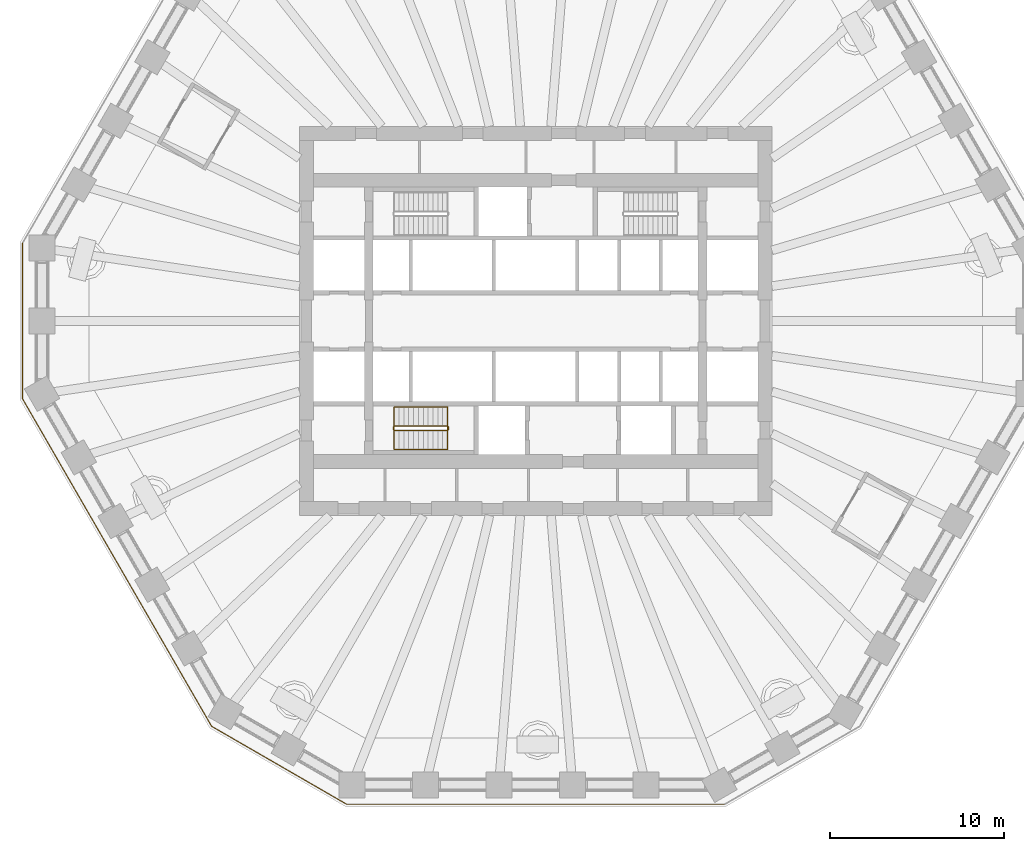
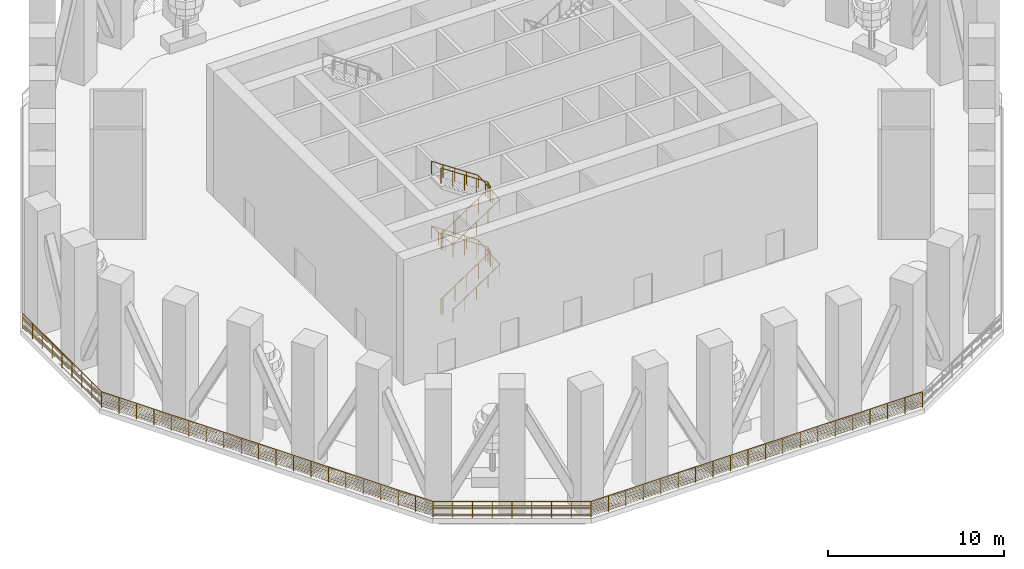
# One storey, part 6 of 10: 6 railings.
"""IFC4 building model written with IfcOpenShell, lengths in metres."""

from ifc_helpers import new_model, si_unit, direction, frame, origin, origin_2d, place, context, subcontext, project, spatial, circle, extrude, material, type_object, element, save


model = new_model("IFC4")

# Units and contexts
model_context = context("Model", 3, precision=1e-05, world=origin(), true_north=direction((0.0, 1.0)))
body_context = subcontext(model_context, "Body", "Model", "MODEL_VIEW")
ifc_project = project(units=[si_unit("LENGTHUNIT", "METRE"), si_unit("AREAUNIT", "SQUARE_METRE"), si_unit("VOLUMEUNIT", "CUBIC_METRE"), si_unit("PLANEANGLEUNIT", "RADIAN"), si_unit("MASSUNIT", "GRAM", prefix="KILO")], contexts=[model_context])

# Site, building, storey
site_placement = place(None, origin())
site = spatial("IfcSite", under=ifc_project, at=site_placement, CompositionType="ELEMENT")
building_placement = place(site_placement, origin())
building = spatial("IfcBuilding", under=site, at=building_placement, Name="Frailejon Research Tower", CompositionType="ELEMENT")
storey_placement = place(building_placement, frame((0.0, 0.0, 71.800048828125)))
storey = spatial("IfcBuildingStorey", under=building, at=storey_placement, Name="L16", CompositionType="ELEMENT", Elevation=71.800048828125)

# Railings
ifc_material_1 = material(Name="Stainless steel", Category="steel")
railing_type_1 = type_object("IfcRailingType", Name="Stair guard 1100", PredefinedType="GUARDRAIL", material=ifc_material_1)
railing_1_placement = place(storey_placement, frame((-8.199951171875, -6.10009765625, 0.0)))
element("IfcRailing", 1, at=railing_1_placement, inside=storey, type_object=railing_type_1, Name="L16 ST2 stair guard 1", PredefinedType="GUARDRAIL", context=body_context, shape_type="SweptSolid", body=[
    extrude(circle(Radius=0.02392578125, at=origin_2d()), frame((0.0, 0.0, 1.076171875), z_axis=(0.0, -1.0, 0.0), x_axis=(1.0, 0.0, 0.0)), (0.0, 0.0, 1.0), 0.14990234375),
    extrude(circle(Radius=0.02392578125, at=origin_2d()), frame((0.0, -0.14990234375, 1.076171875), z_axis=(0.249726431254, -0.249726431254, 0.935560483917), x_axis=(0.707106781187, 0.707106781187, 0.0)), (0.0, 0.0, 1.0), 0.200439453125),
    extrude(circle(Radius=0.02392578125, at=origin_2d()), frame((0.050048828125, -0.199951171875, 1.263671875), z_axis=(0.830893310487, 0.0, 0.556431762742), x_axis=(0.0, 1.0, 0.0)), (0.0, 0.0, 1.0), 3.70654296875),
    extrude(circle(Radius=0.02392578125, at=origin_2d()), frame((3.1298828125, -0.199951171875, 3.326171875), z_axis=(0.707106781187, 0.707106781187, 0.0), x_axis=(-0.707106781187, 0.707106781187, 0.0)), (0.0, 0.0, 1.0), 0.07080078125),
    extrude(circle(Radius=0.02392578125, at=origin_2d()), frame((3.179931640625, -0.14990234375, 3.326171875), z_axis=(0.0, 1.0, 0.0), x_axis=(-1.0, 0.0, 0.0)), (0.0, 0.0, 1.0), 0.14990234375),
    extrude(circle(Radius=0.02392578125, at=origin_2d()), frame((3.179931640625, 0.0, 3.326171875), z_axis=(-0.249726431254, 0.249726431254, 0.935560483917), x_axis=(-0.707106781187, -0.707106781187, 0.0)), (0.0, 0.0, 1.0), 0.200439453125),
    extrude(circle(Radius=0.02392578125, at=origin_2d()), frame((3.1298828125, 0.050048828125, 3.513671875), z_axis=(-0.830893310487, 0.0, 0.556431762742), x_axis=(0.0, -1.0, 0.0)), (0.0, 0.0, 1.0), 3.70654296875),
    extrude(circle(Radius=0.02392578125, at=origin_2d()), frame((0.050048828125, 0.050048828125, 5.576171875), z_axis=(-0.707106781187, -0.707106781187, 0.0), x_axis=(0.707106781187, -0.707106781187, 0.0)), (0.0, 0.0, 1.0), 0.07080078125),
    extrude(circle(Radius=0.02392578125, at=origin_2d()), frame((0.0, 0.0, 5.576171875), z_axis=(0.0, -1.0, 0.0), x_axis=(1.0, 0.0, 0.0)), (0.0, 0.0, 1.0), 0.14990234375),
    extrude(circle(Radius=0.02392578125, at=origin_2d()), frame((0.0, -0.14990234375, 5.576171875), z_axis=(0.249726431254, -0.249726431254, 0.935560483917), x_axis=(0.707106781187, 0.707106781187, 0.0)), (0.0, 0.0, 1.0), 0.200439453125),
    extrude(circle(Radius=0.02392578125, at=origin_2d()), frame((0.050048828125, -0.199951171875, 5.763671875), z_axis=(0.830893310487, 0.0, 0.556431762742), x_axis=(0.0, 1.0, 0.0)), (0.0, 0.0, 1.0), 3.70654296875),
    extrude(circle(Radius=0.02392578125, at=origin_2d()), frame((3.1298828125, -0.199951171875, 7.826171875), z_axis=(0.707106781187, 0.707106781187, 0.0), x_axis=(-0.707106781187, 0.707106781187, 0.0)), (0.0, 0.0, 1.0), 0.07080078125),
    extrude(circle(Radius=0.02392578125, at=origin_2d()), frame((3.179931640625, -0.14990234375, 7.826171875), z_axis=(0.0, 1.0, 0.0), x_axis=(-1.0, 0.0, 0.0)), (0.0, 0.0, 1.0), 0.14990234375),
    extrude(circle(Radius=0.02392578125, at=origin_2d()), frame((3.179931640625, 0.0, 7.826171875), z_axis=(-0.249726431254, 0.249726431254, 0.935560483917), x_axis=(-0.707106781187, -0.707106781187, 0.0)), (0.0, 0.0, 1.0), 0.200439453125),
    extrude(circle(Radius=0.02392578125, at=origin_2d()), frame((3.1298828125, 0.050048828125, 8.013671875), z_axis=(-0.830893310487, 0.0, 0.556431762742), x_axis=(0.0, -1.0, 0.0)), (0.0, 0.0, 1.0), 3.70654296875),
    extrude(circle(Radius=0.02099609375, at=origin_2d()), origin(), (0.0, 0.0, 1.0), 1.052001953125),
    extrude(circle(Radius=0.02099609375, at=origin_2d()), frame((0.0, -0.14990234375, 0.0)), (0.0, 0.0, 1.0), 1.052001953125),
    extrude(circle(Radius=0.02099609375, at=origin_2d()), frame((0.050048828125, -0.199951171875, 0.1875)), (0.0, 0.0, 1.0), 1.052001953125),
    extrude(circle(Radius=0.02099609375, at=origin_2d()), frame((0.820068359375, -0.199951171875, 0.703125)), (0.0, 0.0, 1.0), 1.052001953125),
    extrude(circle(Radius=0.02099609375, at=origin_2d()), frame((1.58984375, -0.199951171875, 1.21875)), (0.0, 0.0, 1.0), 1.052001953125),
    extrude(circle(Radius=0.02099609375, at=origin_2d()), frame((2.35986328125, -0.199951171875, 1.734375)), (0.0, 0.0, 1.0), 1.052001953125),
    extrude(circle(Radius=0.02099609375, at=origin_2d()), frame((3.1298828125, -0.199951171875, 2.25)), (0.0, 0.0, 1.0), 1.052001953125),
    extrude(circle(Radius=0.02099609375, at=origin_2d()), frame((3.179931640625, -0.14990234375, 2.25)), (0.0, 0.0, 1.0), 1.052001953125),
    extrude(circle(Radius=0.02099609375, at=origin_2d()), frame((3.179931640625, 0.0, 2.25)), (0.0, 0.0, 1.0), 1.052001953125),
    extrude(circle(Radius=0.02099609375, at=origin_2d()), frame((3.1298828125, 0.050048828125, 2.4375)), (0.0, 0.0, 1.0), 1.052001953125),
    extrude(circle(Radius=0.02099609375, at=origin_2d()), frame((2.35986328125, 0.050048828125, 2.953125)), (0.0, 0.0, 1.0), 1.052001953125),
    extrude(circle(Radius=0.02099609375, at=origin_2d()), frame((1.58984375, 0.050048828125, 3.46875)), (0.0, 0.0, 1.0), 1.052001953125),
    extrude(circle(Radius=0.02099609375, at=origin_2d()), frame((0.820068359375, 0.050048828125, 3.984375)), (0.0, 0.0, 1.0), 1.052001953125),
    extrude(circle(Radius=0.02099609375, at=origin_2d()), frame((0.050048828125, 0.050048828125, 4.5)), (0.0, 0.0, 1.0), 1.052001953125),
    extrude(circle(Radius=0.02099609375, at=origin_2d()), frame((0.0, 0.0, 4.5)), (0.0, 0.0, 1.0), 1.052001953125),
    extrude(circle(Radius=0.02099609375, at=origin_2d()), frame((0.0, -0.14990234375, 4.5)), (0.0, 0.0, 1.0), 1.052001953125),
    extrude(circle(Radius=0.02099609375, at=origin_2d()), frame((0.050048828125, -0.199951171875, 4.6875)), (0.0, 0.0, 1.0), 1.052001953125),
    extrude(circle(Radius=0.02099609375, at=origin_2d()), frame((0.820068359375, -0.199951171875, 5.203125)), (0.0, 0.0, 1.0), 1.052001953125),
    extrude(circle(Radius=0.02099609375, at=origin_2d()), frame((1.58984375, -0.199951171875, 5.71875)), (0.0, 0.0, 1.0), 1.052001953125),
    extrude(circle(Radius=0.02099609375, at=origin_2d()), frame((2.35986328125, -0.199951171875, 6.234375)), (0.0, 0.0, 1.0), 1.052001953125),
    extrude(circle(Radius=0.02099609375, at=origin_2d()), frame((3.1298828125, -0.199951171875, 6.75)), (0.0, 0.0, 1.0), 1.052001953125),
    extrude(circle(Radius=0.02099609375, at=origin_2d()), frame((3.179931640625, -0.14990234375, 6.75)), (0.0, 0.0, 1.0), 1.052001953125),
    extrude(circle(Radius=0.02099609375, at=origin_2d()), frame((3.179931640625, 0.0, 6.75)), (0.0, 0.0, 1.0), 1.052001953125),
    extrude(circle(Radius=0.02099609375, at=origin_2d()), frame((3.1298828125, 0.050048828125, 6.9375)), (0.0, 0.0, 1.0), 1.052001953125),
    extrude(circle(Radius=0.02099609375, at=origin_2d()), frame((2.35986328125, 0.050048828125, 7.453125)), (0.0, 0.0, 1.0), 1.052001953125),
    extrude(circle(Radius=0.02099609375, at=origin_2d()), frame((1.58984375, 0.050048828125, 7.96875)), (0.0, 0.0, 1.0), 1.052001953125),
    extrude(circle(Radius=0.02099609375, at=origin_2d()), frame((0.820068359375, 0.050048828125, 8.484375)), (0.0, 0.0, 1.0), 1.052001953125),
    extrude(circle(Radius=0.02099609375, at=origin_2d()), frame((0.050048828125, 0.050048828125, 9.0)), (0.0, 0.0, 1.0), 1.052001953125),
])
ifc_material_2 = material(Name="Stainless steel", Category="steel")
railing_type_2 = type_object("IfcRailingType", Name="Stair handrail 900", PredefinedType="HANDRAIL", material=ifc_material_2)
railing_2_placement = place(storey_placement, frame((-8.14990234375, -7.39990234375, 0.1875)))
element("IfcRailing", 2, at=railing_2_placement, inside=storey, type_object=railing_type_2, Name="L16 ST2 stair handrail 1", PredefinedType="HANDRAIL", context=body_context, shape_type="SweptSolid", body=[
    extrude(circle(Radius=0.02392578125, at=origin_2d()), frame((0.0, 0.0, 0.8759765625), z_axis=(0.830893310487, 0.0, 0.556431762742), x_axis=(0.0, 1.0, 0.0)), (0.0, 0.0, 1.0), 3.70654296875),
    extrude(circle(Radius=0.02392578125, at=origin_2d()), frame((3.079833984375, 0.0, 2.9384765625), z_axis=(0.0, 0.997084218397, 0.07630898652), x_axis=(-1.0, 0.0, 0.0)), (0.0, 0.0, 1.0), 2.45703125),
    extrude(circle(Radius=0.02392578125, at=origin_2d()), frame((3.079833984375, 2.449951171875, 3.1259765625), z_axis=(-0.830893310487, 0.0, 0.556431762742), x_axis=(0.0, -1.0, 0.0)), (0.0, 0.0, 1.0), 3.70654296875),
    extrude(circle(Radius=0.02392578125, at=origin_2d()), frame((0.0, 2.449951171875, 5.1884765625), z_axis=(0.0, -0.997084218397, 0.07630898652), x_axis=(1.0, 0.0, 0.0)), (0.0, 0.0, 1.0), 2.45703125),
    extrude(circle(Radius=0.02392578125, at=origin_2d()), frame((0.0, 0.0, 5.3759765625), z_axis=(0.830893310487, 0.0, 0.556431762742), x_axis=(0.0, 1.0, 0.0)), (0.0, 0.0, 1.0), 3.70654296875),
    extrude(circle(Radius=0.02392578125, at=origin_2d()), frame((3.079833984375, 0.0, 7.4384765625), z_axis=(0.0, 0.997084218397, 0.07630898652), x_axis=(-1.0, 0.0, 0.0)), (0.0, 0.0, 1.0), 2.45703125),
    extrude(circle(Radius=0.02392578125, at=origin_2d()), frame((3.079833984375, 2.449951171875, 7.6259765625), z_axis=(-0.830893310487, 0.0, 0.556431762742), x_axis=(0.0, -1.0, 0.0)), (0.0, 0.0, 1.0), 3.70654296875),
    extrude(circle(Radius=0.02099609375, at=origin_2d()), origin(), (0.0, 0.0, 1.0), 0.851806640625),
    extrude(circle(Radius=0.02099609375, at=origin_2d()), frame((0.77001953125, 0.0, 0.515625)), (0.0, 0.0, 1.0), 0.851806640625),
    extrude(circle(Radius=0.02099609375, at=origin_2d()), frame((1.5400390625, 0.0, 1.03125)), (0.0, 0.0, 1.0), 0.851806640625),
    extrude(circle(Radius=0.02099609375, at=origin_2d()), frame((2.309814453125, 0.0, 1.546875)), (0.0, 0.0, 1.0), 0.851806640625),
    extrude(circle(Radius=0.02099609375, at=origin_2d()), frame((3.079833984375, 0.0, 2.0625)), (0.0, 0.0, 1.0), 0.851806640625),
    extrude(circle(Radius=0.02099609375, at=origin_2d()), frame((3.079833984375, 0.816650390625, 2.125)), (0.0, 0.0, 1.0), 0.851806640625),
    extrude(circle(Radius=0.02099609375, at=origin_2d()), frame((3.079833984375, 1.63330078125, 2.1875)), (0.0, 0.0, 1.0), 0.851806640625),
    extrude(circle(Radius=0.02099609375, at=origin_2d()), frame((3.079833984375, 2.449951171875, 2.25)), (0.0, 0.0, 1.0), 0.851806640625),
    extrude(circle(Radius=0.02099609375, at=origin_2d()), frame((2.309814453125, 2.449951171875, 2.765625)), (0.0, 0.0, 1.0), 0.851806640625),
    extrude(circle(Radius=0.02099609375, at=origin_2d()), frame((1.5400390625, 2.449951171875, 3.28125)), (0.0, 0.0, 1.0), 0.851806640625),
    extrude(circle(Radius=0.02099609375, at=origin_2d()), frame((0.77001953125, 2.449951171875, 3.796875)), (0.0, 0.0, 1.0), 0.851806640625),
    extrude(circle(Radius=0.02099609375, at=origin_2d()), frame((0.0, 2.449951171875, 4.3125)), (0.0, 0.0, 1.0), 0.851806640625),
    extrude(circle(Radius=0.02099609375, at=origin_2d()), frame((0.0, 1.63330078125, 4.375)), (0.0, 0.0, 1.0), 0.851806640625),
    extrude(circle(Radius=0.02099609375, at=origin_2d()), frame((0.0, 0.816650390625, 4.4375)), (0.0, 0.0, 1.0), 0.851806640625),
    extrude(circle(Radius=0.02099609375, at=origin_2d()), frame((0.0, 0.0, 4.5)), (0.0, 0.0, 1.0), 0.851806640625),
    extrude(circle(Radius=0.02099609375, at=origin_2d()), frame((0.77001953125, 0.0, 5.015625)), (0.0, 0.0, 1.0), 0.851806640625),
    extrude(circle(Radius=0.02099609375, at=origin_2d()), frame((1.5400390625, 0.0, 5.53125)), (0.0, 0.0, 1.0), 0.851806640625),
    extrude(circle(Radius=0.02099609375, at=origin_2d()), frame((2.309814453125, 0.0, 6.046875)), (0.0, 0.0, 1.0), 0.851806640625),
    extrude(circle(Radius=0.02099609375, at=origin_2d()), frame((3.079833984375, 0.0, 6.5625)), (0.0, 0.0, 1.0), 0.851806640625),
    extrude(circle(Radius=0.02099609375, at=origin_2d()), frame((3.079833984375, 0.816650390625, 6.625)), (0.0, 0.0, 1.0), 0.851806640625),
    extrude(circle(Radius=0.02099609375, at=origin_2d()), frame((3.079833984375, 1.63330078125, 6.6875)), (0.0, 0.0, 1.0), 0.851806640625),
    extrude(circle(Radius=0.02099609375, at=origin_2d()), frame((3.079833984375, 2.449951171875, 6.75)), (0.0, 0.0, 1.0), 0.851806640625),
    extrude(circle(Radius=0.02099609375, at=origin_2d()), frame((2.309814453125, 2.449951171875, 7.265625)), (0.0, 0.0, 1.0), 0.851806640625),
    extrude(circle(Radius=0.02099609375, at=origin_2d()), frame((1.5400390625, 2.449951171875, 7.78125)), (0.0, 0.0, 1.0), 0.851806640625),
    extrude(circle(Radius=0.02099609375, at=origin_2d()), frame((0.77001953125, 2.449951171875, 8.296875)), (0.0, 0.0, 1.0), 0.851806640625),
    extrude(circle(Radius=0.02099609375, at=origin_2d()), frame((0.0, 2.449951171875, 8.8125)), (0.0, 0.0, 1.0), 0.851806640625),
])
ifc_material_3 = material(Name="Stainless steel posts, rail and cable infill", Category="steel")
railing_type_3 = type_object("IfcRailingType", Name="Terrace rail guard 1100", PredefinedType="GUARDRAIL", material=ifc_material_3)
railing_3_placement = place(storey_placement, frame((-29.53369140625, 4.48779296875, 0.0)))
element("IfcRailing", 3, at=railing_3_placement, inside=storey, type_object=railing_type_3, Name="Wind floor terrace guard L16 7", PredefinedType="GUARDRAIL", context=body_context, shape_type="SweptSolid", body=[
    extrude(circle(Radius=0.02392578125, at=origin_2d()), frame((0.0, 0.0, 1.080078125), z_axis=(0.0, -1.0, 0.0), x_axis=(1.0, 0.0, 0.0)), (0.0, 0.0, 1.0), 8.9755859375),
    extrude(circle(Radius=0.005859375, at=origin_2d()), frame((0.0, 0.0, 0.097900390625), z_axis=(0.0, -1.0, 0.0), x_axis=(1.0, 0.0, 0.0)), (0.0, 0.0, 1.0), 8.9755859375),
    extrude(circle(Radius=0.005859375, at=origin_2d()), frame((0.0, 0.0, 0.195556640625), z_axis=(0.0, -1.0, 0.0), x_axis=(1.0, 0.0, 0.0)), (0.0, 0.0, 1.0), 8.9755859375),
    extrude(circle(Radius=0.005859375, at=origin_2d()), frame((0.0, 0.0, 0.29345703125), z_axis=(0.0, -1.0, 0.0), x_axis=(1.0, 0.0, 0.0)), (0.0, 0.0, 1.0), 8.9755859375),
    extrude(circle(Radius=0.005859375, at=origin_2d()), frame((0.0, 0.0, 0.391357421875), z_axis=(0.0, -1.0, 0.0), x_axis=(1.0, 0.0, 0.0)), (0.0, 0.0, 1.0), 8.9755859375),
    extrude(circle(Radius=0.005859375, at=origin_2d()), frame((0.0, 0.0, 0.489013671875), z_axis=(0.0, -1.0, 0.0), x_axis=(1.0, 0.0, 0.0)), (0.0, 0.0, 1.0), 8.9755859375),
    extrude(circle(Radius=0.005859375, at=origin_2d()), frame((0.0, 0.0, 0.5869140625), z_axis=(0.0, -1.0, 0.0), x_axis=(1.0, 0.0, 0.0)), (0.0, 0.0, 1.0), 8.9755859375),
    extrude(circle(Radius=0.005859375, at=origin_2d()), frame((0.0, 0.0, 0.684814453125), z_axis=(0.0, -1.0, 0.0), x_axis=(1.0, 0.0, 0.0)), (0.0, 0.0, 1.0), 8.9755859375),
    extrude(circle(Radius=0.005859375, at=origin_2d()), frame((0.0, 0.0, 0.782470703125), z_axis=(0.0, -1.0, 0.0), x_axis=(1.0, 0.0, 0.0)), (0.0, 0.0, 1.0), 8.9755859375),
    extrude(circle(Radius=0.005859375, at=origin_2d()), frame((0.0, 0.0, 0.88037109375), z_axis=(0.0, -1.0, 0.0), x_axis=(1.0, 0.0, 0.0)), (0.0, 0.0, 1.0), 8.9755859375),
    extrude(circle(Radius=0.005859375, at=origin_2d()), frame((0.0, 0.0, 0.978271484375), z_axis=(0.0, -1.0, 0.0), x_axis=(1.0, 0.0, 0.0)), (0.0, 0.0, 1.0), 8.9755859375),
    extrude(circle(Radius=0.02099609375, at=origin_2d()), origin(), (0.0, 0.0, 1.0), 1.052001953125),
    extrude(circle(Radius=0.02099609375, at=origin_2d()), frame((0.0, -1.1220703125, 0.0)), (0.0, 0.0, 1.0), 1.052001953125),
    extrude(circle(Radius=0.02099609375, at=origin_2d()), frame((0.0, -2.243896484375, 0.0)), (0.0, 0.0, 1.0), 1.052001953125),
    extrude(circle(Radius=0.02099609375, at=origin_2d()), frame((0.0, -3.36572265625, 0.0)), (0.0, 0.0, 1.0), 1.052001953125),
    extrude(circle(Radius=0.02099609375, at=origin_2d()), frame((0.0, -4.48779296875, 0.0)), (0.0, 0.0, 1.0), 1.052001953125),
    extrude(circle(Radius=0.02099609375, at=origin_2d()), frame((0.0, -5.60986328125, 0.0)), (0.0, 0.0, 1.0), 1.052001953125),
    extrude(circle(Radius=0.02099609375, at=origin_2d()), frame((0.0, -6.731689453125, 0.0)), (0.0, 0.0, 1.0), 1.052001953125),
    extrude(circle(Radius=0.02099609375, at=origin_2d()), frame((0.0, -7.853515625, 0.0)), (0.0, 0.0, 1.0), 1.052001953125),
    extrude(circle(Radius=0.02099609375, at=origin_2d()), frame((0.0, -8.9755859375, 0.0)), (0.0, 0.0, 1.0), 1.052001953125),
])
railing_4_placement = place(storey_placement, frame((-29.53369140625, -4.48779296875, 0.0)))
element("IfcRailing", 4, at=railing_4_placement, inside=storey, type_object=railing_type_3, Name="Wind floor terrace guard L16 8", PredefinedType="GUARDRAIL", context=body_context, shape_type="SweptSolid", body=[
    extrude(circle(Radius=0.02392578125, at=origin_2d()), frame((0.0, 0.0, 1.080078125), z_axis=(0.500002799692, -0.866023787376, 0.0), x_axis=(0.866023787376, 0.500002799692, 0.0)), (0.0, 0.0, 1.0), 21.7607421875),
    extrude(circle(Radius=0.005859375, at=origin_2d()), frame((0.0, 0.0, 0.097900390625), z_axis=(0.500002799692, -0.866023787376, 0.0), x_axis=(0.866023787376, 0.500002799692, 0.0)), (0.0, 0.0, 1.0), 21.7607421875),
    extrude(circle(Radius=0.005859375, at=origin_2d()), frame((0.0, 0.0, 0.195556640625), z_axis=(0.500002799692, -0.866023787376, 0.0), x_axis=(0.866023787376, 0.500002799692, 0.0)), (0.0, 0.0, 1.0), 21.7607421875),
    extrude(circle(Radius=0.005859375, at=origin_2d()), frame((0.0, 0.0, 0.29345703125), z_axis=(0.500002799692, -0.866023787376, 0.0), x_axis=(0.866023787376, 0.500002799692, 0.0)), (0.0, 0.0, 1.0), 21.7607421875),
    extrude(circle(Radius=0.005859375, at=origin_2d()), frame((0.0, 0.0, 0.391357421875), z_axis=(0.500002799692, -0.866023787376, 0.0), x_axis=(0.866023787376, 0.500002799692, 0.0)), (0.0, 0.0, 1.0), 21.7607421875),
    extrude(circle(Radius=0.005859375, at=origin_2d()), frame((0.0, 0.0, 0.489013671875), z_axis=(0.500002799692, -0.866023787376, 0.0), x_axis=(0.866023787376, 0.500002799692, 0.0)), (0.0, 0.0, 1.0), 21.7607421875),
    extrude(circle(Radius=0.005859375, at=origin_2d()), frame((0.0, 0.0, 0.5869140625), z_axis=(0.500002799692, -0.866023787376, 0.0), x_axis=(0.866023787376, 0.500002799692, 0.0)), (0.0, 0.0, 1.0), 21.7607421875),
    extrude(circle(Radius=0.005859375, at=origin_2d()), frame((0.0, 0.0, 0.684814453125), z_axis=(0.500002799692, -0.866023787376, 0.0), x_axis=(0.866023787376, 0.500002799692, 0.0)), (0.0, 0.0, 1.0), 21.7607421875),
    extrude(circle(Radius=0.005859375, at=origin_2d()), frame((0.0, 0.0, 0.782470703125), z_axis=(0.500002799692, -0.866023787376, 0.0), x_axis=(0.866023787376, 0.500002799692, 0.0)), (0.0, 0.0, 1.0), 21.7607421875),
    extrude(circle(Radius=0.005859375, at=origin_2d()), frame((0.0, 0.0, 0.88037109375), z_axis=(0.500002799692, -0.866023787376, 0.0), x_axis=(0.866023787376, 0.500002799692, 0.0)), (0.0, 0.0, 1.0), 21.7607421875),
    extrude(circle(Radius=0.005859375, at=origin_2d()), frame((0.0, 0.0, 0.978271484375), z_axis=(0.500002799692, -0.866023787376, 0.0), x_axis=(0.866023787376, 0.500002799692, 0.0)), (0.0, 0.0, 1.0), 21.7607421875),
    extrude(circle(Radius=0.02099609375, at=origin_2d()), origin(), (0.0, 0.0, 1.0), 1.052001953125),
    extrude(circle(Radius=0.02099609375, at=origin_2d()), frame((0.57275390625, -0.991943359375, 0.0)), (0.0, 0.0, 1.0), 1.052001953125),
    extrude(circle(Radius=0.02099609375, at=origin_2d()), frame((1.145263671875, -1.983642578125, 0.0)), (0.0, 0.0, 1.0), 1.052001953125),
    extrude(circle(Radius=0.02099609375, at=origin_2d()), frame((1.718017578125, -2.9755859375, 0.0)), (0.0, 0.0, 1.0), 1.052001953125),
    extrude(circle(Radius=0.02099609375, at=origin_2d()), frame((2.29052734375, -3.967529296875, 0.0)), (0.0, 0.0, 1.0), 1.052001953125),
    extrude(circle(Radius=0.02099609375, at=origin_2d()), frame((2.86328125, -4.959228515625, 0.0)), (0.0, 0.0, 1.0), 1.052001953125),
    extrude(circle(Radius=0.02099609375, at=origin_2d()), frame((3.435791015625, -5.951171875, 0.0)), (0.0, 0.0, 1.0), 1.052001953125),
    extrude(circle(Radius=0.02099609375, at=origin_2d()), frame((4.008544921875, -6.94287109375, 0.0)), (0.0, 0.0, 1.0), 1.052001953125),
    extrude(circle(Radius=0.02099609375, at=origin_2d()), frame((4.581298828125, -7.934814453125, 0.0)), (0.0, 0.0, 1.0), 1.052001953125),
    extrude(circle(Radius=0.02099609375, at=origin_2d()), frame((5.15380859375, -8.9267578125, 0.0)), (0.0, 0.0, 1.0), 1.052001953125),
    extrude(circle(Radius=0.02099609375, at=origin_2d()), frame((5.7265625, -9.91845703125, 0.0)), (0.0, 0.0, 1.0), 1.052001953125),
    extrude(circle(Radius=0.02099609375, at=origin_2d()), frame((6.299072265625, -10.910400390625, 0.0)), (0.0, 0.0, 1.0), 1.052001953125),
    extrude(circle(Radius=0.02099609375, at=origin_2d()), frame((6.871826171875, -11.90234375, 0.0)), (0.0, 0.0, 1.0), 1.052001953125),
    extrude(circle(Radius=0.02099609375, at=origin_2d()), frame((7.444580078125, -12.89404296875, 0.0)), (0.0, 0.0, 1.0), 1.052001953125),
    extrude(circle(Radius=0.02099609375, at=origin_2d()), frame((8.01708984375, -13.885986328125, 0.0)), (0.0, 0.0, 1.0), 1.052001953125),
    extrude(circle(Radius=0.02099609375, at=origin_2d()), frame((8.58984375, -14.877685546875, 0.0)), (0.0, 0.0, 1.0), 1.052001953125),
    extrude(circle(Radius=0.02099609375, at=origin_2d()), frame((9.162353515625, -15.86962890625, 0.0)), (0.0, 0.0, 1.0), 1.052001953125),
    extrude(circle(Radius=0.02099609375, at=origin_2d()), frame((9.735107421875, -16.861572265625, 0.0)), (0.0, 0.0, 1.0), 1.052001953125),
    extrude(circle(Radius=0.02099609375, at=origin_2d()), frame((10.3076171875, -17.853271484375, 0.0)), (0.0, 0.0, 1.0), 1.052001953125),
    extrude(circle(Radius=0.02099609375, at=origin_2d()), frame((10.88037109375, -18.84521484375, 0.0)), (0.0, 0.0, 1.0), 1.052001953125),
])
railing_5_placement = place(storey_placement, frame((-18.6533203125, -23.3330078125, 0.0)))
element("IfcRailing", 5, at=railing_5_placement, inside=storey, type_object=railing_type_3, Name="Wind floor terrace guard L16 9", PredefinedType="GUARDRAIL", context=body_context, shape_type="SweptSolid", body=[
    extrude(circle(Radius=0.02392578125, at=origin_2d()), frame((0.0, 0.0, 1.080078125), z_axis=(0.866028409771, -0.499994793442, 0.0), x_axis=(0.499994793442, 0.866028409771, 0.0)), (0.0, 0.0, 1.0), 8.9755859375),
    extrude(circle(Radius=0.005859375, at=origin_2d()), frame((0.0, 0.0, 0.097900390625), z_axis=(0.866028409771, -0.499994793442, 0.0), x_axis=(0.499994793442, 0.866028409771, 0.0)), (0.0, 0.0, 1.0), 8.9755859375),
    extrude(circle(Radius=0.005859375, at=origin_2d()), frame((0.0, 0.0, 0.195556640625), z_axis=(0.866028409771, -0.499994793442, 0.0), x_axis=(0.499994793442, 0.866028409771, 0.0)), (0.0, 0.0, 1.0), 8.9755859375),
    extrude(circle(Radius=0.005859375, at=origin_2d()), frame((0.0, 0.0, 0.29345703125), z_axis=(0.866028409771, -0.499994793442, 0.0), x_axis=(0.499994793442, 0.866028409771, 0.0)), (0.0, 0.0, 1.0), 8.9755859375),
    extrude(circle(Radius=0.005859375, at=origin_2d()), frame((0.0, 0.0, 0.391357421875), z_axis=(0.866028409771, -0.499994793442, 0.0), x_axis=(0.499994793442, 0.866028409771, 0.0)), (0.0, 0.0, 1.0), 8.9755859375),
    extrude(circle(Radius=0.005859375, at=origin_2d()), frame((0.0, 0.0, 0.489013671875), z_axis=(0.866028409771, -0.499994793442, 0.0), x_axis=(0.499994793442, 0.866028409771, 0.0)), (0.0, 0.0, 1.0), 8.9755859375),
    extrude(circle(Radius=0.005859375, at=origin_2d()), frame((0.0, 0.0, 0.5869140625), z_axis=(0.866028409771, -0.499994793442, 0.0), x_axis=(0.499994793442, 0.866028409771, 0.0)), (0.0, 0.0, 1.0), 8.9755859375),
    extrude(circle(Radius=0.005859375, at=origin_2d()), frame((0.0, 0.0, 0.684814453125), z_axis=(0.866028409771, -0.499994793442, 0.0), x_axis=(0.499994793442, 0.866028409771, 0.0)), (0.0, 0.0, 1.0), 8.9755859375),
    extrude(circle(Radius=0.005859375, at=origin_2d()), frame((0.0, 0.0, 0.782470703125), z_axis=(0.866028409771, -0.499994793442, 0.0), x_axis=(0.499994793442, 0.866028409771, 0.0)), (0.0, 0.0, 1.0), 8.9755859375),
    extrude(circle(Radius=0.005859375, at=origin_2d()), frame((0.0, 0.0, 0.88037109375), z_axis=(0.866028409771, -0.499994793442, 0.0), x_axis=(0.499994793442, 0.866028409771, 0.0)), (0.0, 0.0, 1.0), 8.9755859375),
    extrude(circle(Radius=0.005859375, at=origin_2d()), frame((0.0, 0.0, 0.978271484375), z_axis=(0.866028409771, -0.499994793442, 0.0), x_axis=(0.499994793442, 0.866028409771, 0.0)), (0.0, 0.0, 1.0), 8.9755859375),
    extrude(circle(Radius=0.02099609375, at=origin_2d()), origin(), (0.0, 0.0, 1.0), 1.052001953125),
    extrude(circle(Radius=0.02099609375, at=origin_2d()), frame((0.9716796875, -0.56103515625, 0.0)), (0.0, 0.0, 1.0), 1.052001953125),
    extrude(circle(Radius=0.02099609375, at=origin_2d()), frame((1.943359375, -1.1220703125, 0.0)), (0.0, 0.0, 1.0), 1.052001953125),
    extrude(circle(Radius=0.02099609375, at=origin_2d()), frame((2.9150390625, -1.682861328125, 0.0)), (0.0, 0.0, 1.0), 1.052001953125),
    extrude(circle(Radius=0.02099609375, at=origin_2d()), frame((3.88671875, -2.243896484375, 0.0)), (0.0, 0.0, 1.0), 1.052001953125),
    extrude(circle(Radius=0.02099609375, at=origin_2d()), frame((4.858154296875, -2.804931640625, 0.0)), (0.0, 0.0, 1.0), 1.052001953125),
    extrude(circle(Radius=0.02099609375, at=origin_2d()), frame((5.829833984375, -3.36572265625, 0.0)), (0.0, 0.0, 1.0), 1.052001953125),
    extrude(circle(Radius=0.02099609375, at=origin_2d()), frame((6.801513671875, -3.9267578125, 0.0)), (0.0, 0.0, 1.0), 1.052001953125),
    extrude(circle(Radius=0.02099609375, at=origin_2d()), frame((7.773193359375, -4.48779296875, 0.0)), (0.0, 0.0, 1.0), 1.052001953125),
])
railing_6_placement = place(storey_placement, frame((-10.880126953125, -27.82080078125, 0.0)))
element("IfcRailing", 6, at=railing_6_placement, inside=storey, type_object=railing_type_3, Name="Wind floor terrace guard L16 10", PredefinedType="GUARDRAIL", context=body_context, shape_type="SweptSolid", body=[
    extrude(circle(Radius=0.02392578125, at=origin_2d()), frame((0.0, 0.0, 1.080078125), z_axis=(1.0, 0.0, 0.0), x_axis=(0.0, 1.0, 0.0)), (0.0, 0.0, 1.0), 21.76025390625),
    extrude(circle(Radius=0.005859375, at=origin_2d()), frame((0.0, 0.0, 0.097900390625), z_axis=(1.0, 0.0, 0.0), x_axis=(0.0, 1.0, 0.0)), (0.0, 0.0, 1.0), 21.76025390625),
    extrude(circle(Radius=0.005859375, at=origin_2d()), frame((0.0, 0.0, 0.195556640625), z_axis=(1.0, 0.0, 0.0), x_axis=(0.0, 1.0, 0.0)), (0.0, 0.0, 1.0), 21.76025390625),
    extrude(circle(Radius=0.005859375, at=origin_2d()), frame((0.0, 0.0, 0.29345703125), z_axis=(1.0, 0.0, 0.0), x_axis=(0.0, 1.0, 0.0)), (0.0, 0.0, 1.0), 21.76025390625),
    extrude(circle(Radius=0.005859375, at=origin_2d()), frame((0.0, 0.0, 0.391357421875), z_axis=(1.0, 0.0, 0.0), x_axis=(0.0, 1.0, 0.0)), (0.0, 0.0, 1.0), 21.76025390625),
    extrude(circle(Radius=0.005859375, at=origin_2d()), frame((0.0, 0.0, 0.489013671875), z_axis=(1.0, 0.0, 0.0), x_axis=(0.0, 1.0, 0.0)), (0.0, 0.0, 1.0), 21.76025390625),
    extrude(circle(Radius=0.005859375, at=origin_2d()), frame((0.0, 0.0, 0.5869140625), z_axis=(1.0, 0.0, 0.0), x_axis=(0.0, 1.0, 0.0)), (0.0, 0.0, 1.0), 21.76025390625),
    extrude(circle(Radius=0.005859375, at=origin_2d()), frame((0.0, 0.0, 0.684814453125), z_axis=(1.0, 0.0, 0.0), x_axis=(0.0, 1.0, 0.0)), (0.0, 0.0, 1.0), 21.76025390625),
    extrude(circle(Radius=0.005859375, at=origin_2d()), frame((0.0, 0.0, 0.782470703125), z_axis=(1.0, 0.0, 0.0), x_axis=(0.0, 1.0, 0.0)), (0.0, 0.0, 1.0), 21.76025390625),
    extrude(circle(Radius=0.005859375, at=origin_2d()), frame((0.0, 0.0, 0.88037109375), z_axis=(1.0, 0.0, 0.0), x_axis=(0.0, 1.0, 0.0)), (0.0, 0.0, 1.0), 21.76025390625),
    extrude(circle(Radius=0.005859375, at=origin_2d()), frame((0.0, 0.0, 0.978271484375), z_axis=(1.0, 0.0, 0.0), x_axis=(0.0, 1.0, 0.0)), (0.0, 0.0, 1.0), 21.76025390625),
    extrude(circle(Radius=0.02099609375, at=origin_2d()), origin(), (0.0, 0.0, 1.0), 1.052001953125),
    extrude(circle(Radius=0.02099609375, at=origin_2d()), frame((1.145263671875, 0.0, 0.0)), (0.0, 0.0, 1.0), 1.052001953125),
    extrude(circle(Radius=0.02099609375, at=origin_2d()), frame((2.29052734375, 0.0, 0.0)), (0.0, 0.0, 1.0), 1.052001953125),
    extrude(circle(Radius=0.02099609375, at=origin_2d()), frame((3.435791015625, 0.0, 0.0)), (0.0, 0.0, 1.0), 1.052001953125),
    extrude(circle(Radius=0.02099609375, at=origin_2d()), frame((4.5810546875, 0.0, 0.0)), (0.0, 0.0, 1.0), 1.052001953125),
    extrude(circle(Radius=0.02099609375, at=origin_2d()), frame((5.726318359375, 0.0, 0.0)), (0.0, 0.0, 1.0), 1.052001953125),
    extrude(circle(Radius=0.02099609375, at=origin_2d()), frame((6.87158203125, 0.0, 0.0)), (0.0, 0.0, 1.0), 1.052001953125),
    extrude(circle(Radius=0.02099609375, at=origin_2d()), frame((8.016845703125, 0.0, 0.0)), (0.0, 0.0, 1.0), 1.052001953125),
    extrude(circle(Radius=0.02099609375, at=origin_2d()), frame((9.162109375, 0.0, 0.0)), (0.0, 0.0, 1.0), 1.052001953125),
    extrude(circle(Radius=0.02099609375, at=origin_2d()), frame((10.307373046875, 0.0, 0.0)), (0.0, 0.0, 1.0), 1.052001953125),
    extrude(circle(Radius=0.02099609375, at=origin_2d()), frame((11.452880859375, 0.0, 0.0)), (0.0, 0.0, 1.0), 1.052001953125),
    extrude(circle(Radius=0.02099609375, at=origin_2d()), frame((12.59814453125, 0.0, 0.0)), (0.0, 0.0, 1.0), 1.052001953125),
    extrude(circle(Radius=0.02099609375, at=origin_2d()), frame((13.743408203125, 0.0, 0.0)), (0.0, 0.0, 1.0), 1.052001953125),
    extrude(circle(Radius=0.02099609375, at=origin_2d()), frame((14.888671875, 0.0, 0.0)), (0.0, 0.0, 1.0), 1.052001953125),
    extrude(circle(Radius=0.02099609375, at=origin_2d()), frame((16.033935546875, 0.0, 0.0)), (0.0, 0.0, 1.0), 1.052001953125),
    extrude(circle(Radius=0.02099609375, at=origin_2d()), frame((17.17919921875, 0.0, 0.0)), (0.0, 0.0, 1.0), 1.052001953125),
    extrude(circle(Radius=0.02099609375, at=origin_2d()), frame((18.324462890625, 0.0, 0.0)), (0.0, 0.0, 1.0), 1.052001953125),
    extrude(circle(Radius=0.02099609375, at=origin_2d()), frame((19.4697265625, 0.0, 0.0)), (0.0, 0.0, 1.0), 1.052001953125),
    extrude(circle(Radius=0.02099609375, at=origin_2d()), frame((20.614990234375, 0.0, 0.0)), (0.0, 0.0, 1.0), 1.052001953125),
    extrude(circle(Radius=0.02099609375, at=origin_2d()), frame((21.76025390625, 0.0, 0.0)), (0.0, 0.0, 1.0), 1.052001953125),
])

save(model, "model.ifc")
